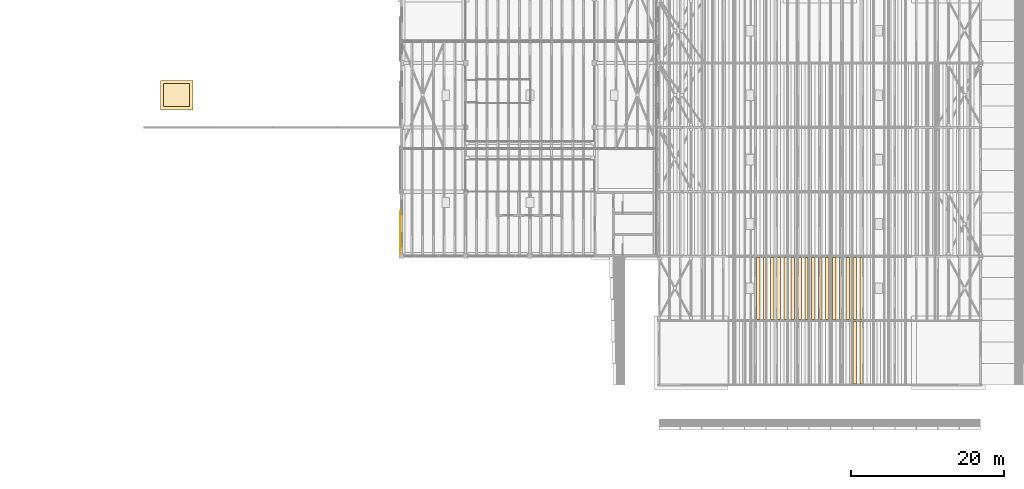
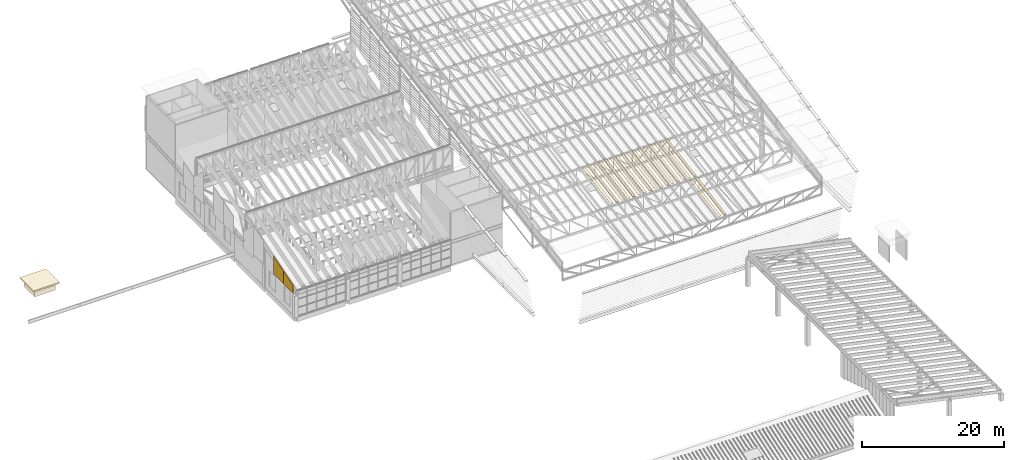
# One storey, part 76 of 91: 22 coverings.
"""IFC4 building model written with IfcOpenShell, lengths in metres."""

from ifc_helpers import new_model, si_unit, direction, frame, origin, origin_2d, place, context, subcontext, project, spatial, polyline, rectangle, outline, extrude, material, layer, layer_set, type_object, element, save


model = new_model("IFC4")

# Units and contexts
model_context = context("Model", 3, precision=1e-05, world=origin(), true_north=direction((0.0, 1.0)))
body_context = subcontext(model_context, "Body", "Model", "MODEL_VIEW")
ifc_project = project(units=[si_unit("LENGTHUNIT", "METRE"), si_unit("AREAUNIT", "SQUARE_METRE"), si_unit("VOLUMEUNIT", "CUBIC_METRE"), si_unit("PLANEANGLEUNIT", "RADIAN"), si_unit("MASSUNIT", "GRAM", prefix="KILO")], contexts=[model_context])

# Site, building, storey
site_placement = place(None, origin())
site = spatial("IfcSite", under=ifc_project, at=site_placement, CompositionType="ELEMENT")
building_placement = place(site_placement, origin())
building = spatial("IfcBuilding", under=site, at=building_placement, Name="Almond Square Museum", CompositionType="ELEMENT")
storey_placement = place(building_placement, frame((0.0, 0.0, 30.0)))
storey = spatial("IfcBuildingStorey", under=building, at=storey_placement, Name="L05", CompositionType="ELEMENT", Elevation=30.0)

# Coverings
ifc_material_1 = material(Name="Cedar timber fascia board", Category="wood")
ifc_layer_1 = layer(ifc_material_1, 0.0400390625)
ifc_layer_set_1 = layer_set([ifc_layer_1], Name="Cedar timber fascia board")
covering_type_1 = type_object("IfcCoveringType", Name="Atrium roof edge fascia 40", PredefinedType="CLADDING", material=ifc_layer_set_1)
covering_1_placement = place(storey_placement, frame((73.06591796875, 67.510009765625, 3.800048828125), z_axis=(1.0, 0.0, 0.0), x_axis=(0.0, 1.0, 0.0)))
element("IfcCovering", 1, at=covering_1_placement, inside=storey, type_object=covering_type_1, Name="Atrium gable panel 1", PredefinedType="CLADDING", context=body_context, shape_type="SweptSolid", body=[
    extrude(outline(polyline([(0.0, 0.0), (2.780029296875, 0.0), (2.780029296875, 2.227783203125), (0.0, 1.37158203125), (0.0, 0.0)])), frame((0.0, 0.0, -0.02001953125)), (0.0, 0.0, 1.0), 0.0400390625),
])
covering_2_placement = place(storey_placement, frame((73.06591796875, 70.31005859375, 3.800048828125), z_axis=(1.0, 0.0, 0.0), x_axis=(0.0, 1.0, 0.0)))
element("IfcCovering", 2, at=covering_2_placement, inside=storey, type_object=covering_type_1, Name="Atrium gable panel 2", PredefinedType="CLADDING", context=body_context, shape_type="SweptSolid", body=[
    extrude(outline(polyline([(0.0, 0.0), (2.780029296875, 0.0), (2.780029296875, 3.083740234375), (0.0, 2.227783203125), (0.0, 0.0)])), frame((0.0, 0.0, -0.02001953125)), (0.0, 0.0, 1.0), 0.0400390625),
])
ifc_material_2 = material(Name="Cedar timber roof board", Category="wood")
ifc_layer_2 = layer(ifc_material_2, 0.0400390625)
ifc_layer_set_2 = layer_set([ifc_layer_2], Name="Cedar timber roof board")
covering_type_2 = type_object("IfcCoveringType", Name="Hall roof board 450 x 40", PredefinedType="CLADDING", material=ifc_layer_set_2)
covering_3_placement = place(storey_placement, frame((132.60009765625, 58.64990234375, 7.943603515625), z_axis=(0.0, -0.172352243822, 0.985035382131), x_axis=(-1.0, 0.0, 0.0)))
element("IfcCovering", 3, at=covering_3_placement, inside=storey, type_object=covering_type_2, Name="Hall roof board", PredefinedType="CLADDING", context=body_context, shape_type="SweptSolid", body=[
    extrude(outline(polyline([(0.0, 0.0), (0.4501953125, 0.0), (0.4501953125, 8.22290616414537), (0.0, 8.22290616414537), (0.0, 0.0)])), origin(), (0.0, 0.0, 1.0), 0.0400390625),
])
covering_4_placement = place(storey_placement, frame((133.5, 58.64990234375, 7.943603515625), z_axis=(0.0, -0.172352243822, 0.985035382131), x_axis=(-1.0, 0.0, 0.0)))
element("IfcCovering", 4, at=covering_4_placement, inside=storey, type_object=covering_type_2, Name="Hall roof board", PredefinedType="CLADDING", context=body_context, shape_type="SweptSolid", body=[
    extrude(outline(polyline([(0.0, 0.0), (0.449951171875, 0.0), (0.449951171875, 8.222906164145368), (0.0, 8.222906164145368), (0.0, 0.0)])), origin(), (0.0, 0.0, 1.0), 0.0400390625),
])
for number, where, z_axis, x_axis, name in (
    (5, (120.0, 67.050048828125, 9.413818359375), (0.0, -0.17237601069, 0.985031223332), (-1.0, 0.0, 0.0), "Hall roof board"),
    (6, (120.89990234375, 67.050048828125, 9.413818359375), (0.0, -0.17237601069, 0.985031223332), (-1.0, 0.0, 0.0), "Hall roof board"),
    (7, (121.800048828125, 67.050048828125, 9.413818359375), (0.0, -0.17237601069, 0.985031223332), (-1.0, 0.0, 0.0), "Hall roof board"),
    (8, (122.699951171875, 67.050048828125, 9.413818359375), (0.0, -0.17237601069, 0.985031223332), (-1.0, 0.0, 0.0), "Hall roof board"),
):
    element("IfcCovering", number, at=place(storey_placement, frame(where, z_axis=z_axis, x_axis=x_axis)), inside=storey, type_object=covering_type_2, Name=name, PredefinedType="CLADDING", context=body_context, shape_type="SweptSolid", body=[
        extrude(outline(polyline([(0.0, 0.0), (0.449951171875, 0.0), (0.449951171875, 8.223188731877341), (0.0, 8.223188731877341), (0.0, 0.0)])), origin(), (0.0, 0.0, 1.0), 0.0400390625),
    ])
covering_5_placement = place(storey_placement, frame((123.60009765625, 67.050048828125, 9.413818359375), z_axis=(0.0, -0.17237601069, 0.985031223332), x_axis=(-1.0, 0.0, 0.0)))
element("IfcCovering", 9, at=covering_5_placement, inside=storey, type_object=covering_type_2, Name="Hall roof board", PredefinedType="CLADDING", context=body_context, shape_type="SweptSolid", body=[
    extrude(outline(polyline([(0.0, 0.0), (0.4501953125, 0.0), (0.4501953125, 8.223188731877341), (0.0, 8.223188731877341), (0.0, 0.0)])), origin(), (0.0, 0.0, 1.0), 0.0400390625),
])
for number, where, z_axis, x_axis, name in (
    (10, (124.5, 67.050048828125, 9.413818359375), (0.0, -0.17237601069, 0.985031223332), (-1.0, 0.0, 0.0), "Hall roof board"),
    (11, (125.39990234375, 67.050048828125, 9.413818359375), (0.0, -0.17237601069, 0.985031223332), (-1.0, 0.0, 0.0), "Hall roof board"),
    (12, (126.300048828125, 67.050048828125, 9.413818359375), (0.0, -0.17237601069, 0.985031223332), (-1.0, 0.0, 0.0), "Hall roof board"),
    (13, (127.199951171875, 67.050048828125, 9.413818359375), (0.0, -0.17237601069, 0.985031223332), (-1.0, 0.0, 0.0), "Hall roof board"),
):
    element("IfcCovering", number, at=place(storey_placement, frame(where, z_axis=z_axis, x_axis=x_axis)), inside=storey, type_object=covering_type_2, Name=name, PredefinedType="CLADDING", context=body_context, shape_type="SweptSolid", body=[
        extrude(outline(polyline([(0.0, 0.0), (0.449951171875, 0.0), (0.449951171875, 8.223188731877341), (0.0, 8.223188731877341), (0.0, 0.0)])), origin(), (0.0, 0.0, 1.0), 0.0400390625),
    ])
covering_6_placement = place(storey_placement, frame((128.10009765625, 67.050048828125, 9.413818359375), z_axis=(0.0, -0.17237601069, 0.985031223332), x_axis=(-1.0, 0.0, 0.0)))
element("IfcCovering", 14, at=covering_6_placement, inside=storey, type_object=covering_type_2, Name="Hall roof board", PredefinedType="CLADDING", context=body_context, shape_type="SweptSolid", body=[
    extrude(outline(polyline([(0.0, 0.0), (0.4501953125, 0.0), (0.4501953125, 8.223188731877341), (0.0, 8.223188731877341), (0.0, 0.0)])), origin(), (0.0, 0.0, 1.0), 0.0400390625),
])
for number, where, z_axis, x_axis, name in (
    (15, (129.0, 67.050048828125, 9.413818359375), (0.0, -0.17237601069, 0.985031223332), (-1.0, 0.0, 0.0), "Hall roof board"),
    (16, (129.89990234375, 67.050048828125, 9.413818359375), (0.0, -0.17237601069, 0.985031223332), (-1.0, 0.0, 0.0), "Hall roof board"),
    (17, (130.800048828125, 67.050048828125, 9.413818359375), (0.0, -0.17237601069, 0.985031223332), (-1.0, 0.0, 0.0), "Hall roof board"),
    (18, (131.699951171875, 67.050048828125, 9.413818359375), (0.0, -0.17237601069, 0.985031223332), (-1.0, 0.0, 0.0), "Hall roof board"),
):
    element("IfcCovering", number, at=place(storey_placement, frame(where, z_axis=z_axis, x_axis=x_axis)), inside=storey, type_object=covering_type_2, Name=name, PredefinedType="CLADDING", context=body_context, shape_type="SweptSolid", body=[
        extrude(outline(polyline([(0.0, 0.0), (0.449951171875, 0.0), (0.449951171875, 8.223188731877341), (0.0, 8.223188731877341), (0.0, 0.0)])), origin(), (0.0, 0.0, 1.0), 0.0400390625),
    ])
covering_7_placement = place(storey_placement, frame((132.60009765625, 67.050048828125, 9.413818359375), z_axis=(0.0, -0.17237601069, 0.985031223332), x_axis=(-1.0, 0.0, 0.0)))
element("IfcCovering", 19, at=covering_7_placement, inside=storey, type_object=covering_type_2, Name="Hall roof board", PredefinedType="CLADDING", context=body_context, shape_type="SweptSolid", body=[
    extrude(outline(polyline([(0.0, 0.0), (0.4501953125, 0.0), (0.4501953125, 8.223188731877341), (0.0, 8.223188731877341), (0.0, 0.0)])), origin(), (0.0, 0.0, 1.0), 0.0400390625),
])
covering_8_placement = place(storey_placement, frame((133.5, 67.050048828125, 9.413818359375), z_axis=(0.0, -0.17237601069, 0.985031223332), x_axis=(-1.0, 0.0, 0.0)))
element("IfcCovering", 20, at=covering_8_placement, inside=storey, type_object=covering_type_2, Name="Hall roof board", PredefinedType="CLADDING", context=body_context, shape_type="SweptSolid", body=[
    extrude(outline(polyline([(0.0, 0.0), (0.449951171875, 0.0), (0.449951171875, 8.223188731877341), (0.0, 8.223188731877341), (0.0, 0.0)])), origin(), (0.0, 0.0, 1.0), 0.0400390625),
])
ifc_material_3 = material(Name="Timber deck and membrane roofing", Category="wood")
ifc_layer_3 = layer(ifc_material_3, 0.25)
ifc_layer_set_3 = layer_set([ifc_layer_3], Name="Timber deck and membrane roofing")
covering_type_3 = type_object("IfcCoveringType", Name="Head house cap, timber and membrane", PredefinedType="CLADDING", material=ifc_layer_set_3)
covering_9_placement = place(storey_placement, frame((43.89990234375, 88.199951171875, 3.5576171875), z_axis=(0.0, 0.0, 1.0), x_axis=(1.0, 0.0, 0.0)))
element("IfcCovering", 21, at=covering_9_placement, inside=storey, type_object=covering_type_3, Name="Head house roof cap N1", PredefinedType="CLADDING", context=body_context, shape_type="SweptSolid", body=[
    extrude(rectangle(XDim=4.199951171875, YDim=3.800048828125, at=origin_2d()), origin(), (0.0, 0.0, 1.0), 0.25),
])
ifc_material_4 = material(Name="Zinc standing seam cladding")
ifc_layer_4 = layer(ifc_material_4, 1.199951171875)
ifc_layer_set_4 = layer_set([ifc_layer_4], Name="Zinc standing seam cladding")
covering_type_4 = type_object("IfcCoveringType", Name="Lift overrun cladding 1200", PredefinedType="CLADDING", material=ifc_layer_set_4)
covering_10_placement = place(storey_placement, frame((43.89990234375, 88.199951171875, 2.357421875), z_axis=(0.0, 0.0, 1.0), x_axis=(1.0, 0.0, 0.0)))
element("IfcCovering", 22, at=covering_10_placement, inside=storey, type_object=covering_type_4, Name="Lift overrun cladding N1", PredefinedType="CLADDING", context=body_context, shape_type="SweptSolid", body=[
    extrude(rectangle(XDim=3.39990234375, YDim=3.0, at=origin_2d()), origin(), (0.0, 0.0, 1.0), 1.199951171875),
])

save(model, "model.ifc")
